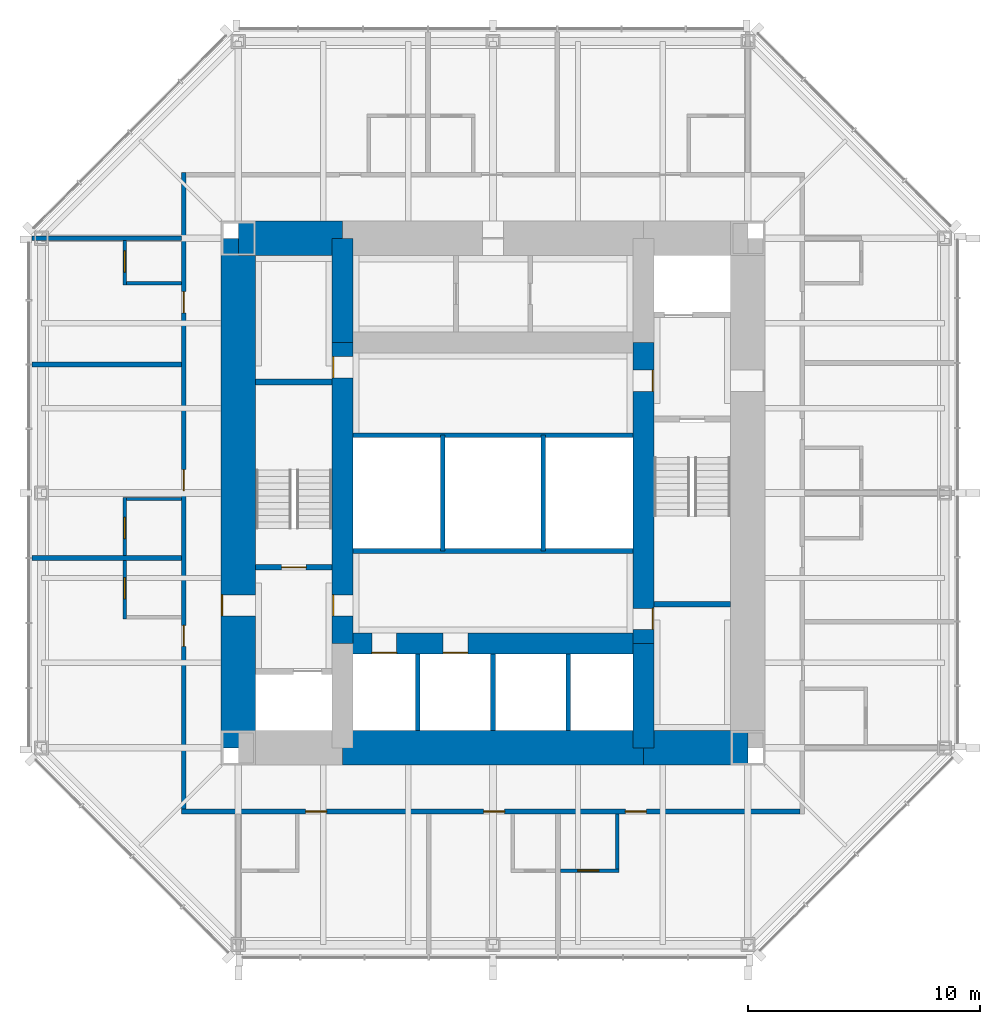
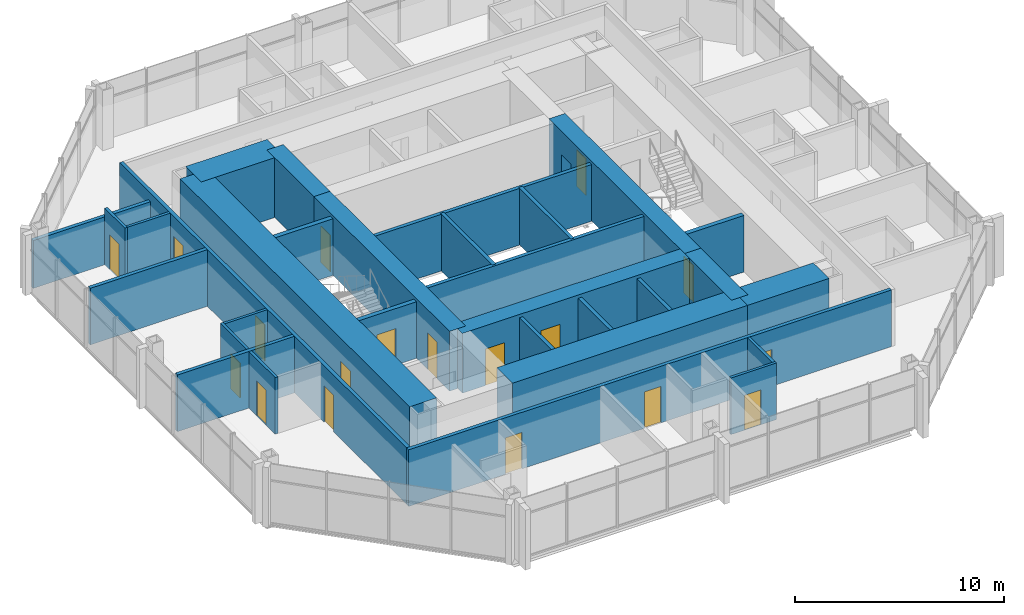
# One storey, part 8 of 11: 31 walls, 18 doors, 18 openings.
"""IFC4 building model written with IfcOpenShell, lengths in metres."""

from ifc_helpers import new_model, si_unit, direction, frame, frame_2d, origin, place, context, subcontext, project, spatial, rectangle, extrude, material, layer, layer_set, type_object, element, fill, save


model = new_model("IFC4")

# Units and contexts
model_context = context("Model", 3, precision=1e-05, world=origin(), true_north=direction((0.0, 1.0)))
body_context = subcontext(model_context, "Body", "Model", "MODEL_VIEW")
ifc_project = project(units=[si_unit("LENGTHUNIT", "METRE"), si_unit("AREAUNIT", "SQUARE_METRE"), si_unit("VOLUMEUNIT", "CUBIC_METRE"), si_unit("PLANEANGLEUNIT", "RADIAN"), si_unit("MASSUNIT", "GRAM", prefix="KILO")], contexts=[model_context])

# Site, building, storey
site_placement = place(None, origin())
site = spatial("IfcSite", under=ifc_project, at=site_placement, CompositionType="ELEMENT")
building_placement = place(site_placement, origin())
building = spatial("IfcBuilding", under=site, at=building_placement, Name="Trevanion Tower", CompositionType="ELEMENT")
storey_placement = place(building_placement, frame((0.0, 0.0, 218.699951171875)))
storey = spatial("IfcBuildingStorey", under=building, at=storey_placement, Name="L52", CompositionType="ELEMENT", Elevation=218.699951171875)

# Wall, opening, door
ifc_material_1 = material(Name="Concrete 10,000 psi", Category="concrete")
ifc_layer_1 = layer(ifc_material_1, 1.5)
ifc_layer_set_1 = layer_set([ifc_layer_1], Name="CW1 core wall 1500")
wall_type_1 = type_object("IfcWallType", Name="CW1 core wall 1500", PredefinedType="SHEAR", material=ifc_layer_set_1)
wall_1_placement = place(storey_placement, frame((-11.0, 11.0, 0.0), z_axis=(0.0, 0.0, 1.0), x_axis=(0.0, -1.0, 0.0)))
wall_1 = element("IfcWall", 1, at=wall_1_placement, inside=storey, type_object=wall_type_1, Name="CW1 CW L52", PredefinedType="SHEAR", context=body_context, shape_type="SweptSolid", body=[
    extrude(rectangle(XDim=22.0, YDim=1.5, at=frame_2d((11.0, 0.0))), origin(), (0.0, 0.0, 1.0), 3.5),
])
opening_1_placement = place(wall_1_placement, frame((15.392578125, 0.0, 0.0)))
opening_1 = element("IfcOpeningElement", 2, at=opening_1_placement, cuts=wall_1, Name="Opening 52-002", PredefinedType="OPENING", context=body_context, shape_type="SweptSolid", body=[
    extrude(rectangle(XDim=0.9150390625, YDim=2.134033203125, at=frame_2d((0.45751953125, 1.06689453125))), frame((0.0, 0.760009765625, 0.0), z_axis=(0.0, -1.0, 0.0), x_axis=(1.0, 0.0, 0.0)), (0.0, 0.0, 1.0), 1.52001953125),
])
ifc_material_2 = material(Name="Hollow metal, fire rated", Category="steel")
door_type_1 = type_object("IfcDoorType", Name="D3 fire lift lobby door", OperationType="SINGLE_SWING_RIGHT", PredefinedType="DOOR", material=ifc_material_2)
door_1_placement = place(opening_1_placement, origin())
door_1 = element("IfcDoor", 3, at=door_1_placement, inside=storey, type_object=door_type_1, Name="Door 52-002", OperationType="SINGLE_SWING_RIGHT", OverallHeight=2.134033203125, OverallWidth=0.9150390625, PredefinedType="DOOR", context=body_context, shape_type="SweptSolid", body=[
    extrude(rectangle(XDim=0.9150390625, YDim=2.134033203125, at=frame_2d((0.45751953125, 1.06689453125))), frame((0.0, -0.6748046875, 0.0), z_axis=(0.0, -1.0, 0.0), x_axis=(1.0, 0.0, 0.0)), (0.0, 0.0, 1.0), 0.050048828125),
])
fill(opening_1, door_1)

# Walls
wall_2_placement = place(storey_placement, frame((-6.5, 11.0, 0.0), z_axis=(0.0, 0.0, 1.0), x_axis=(-1.0, 0.0, 0.0)))
element("IfcWall", 4, at=wall_2_placement, inside=storey, type_object=wall_type_1, Name="CW1 CN3 L52", PredefinedType="SHEAR", context=body_context, shape_type="SweptSolid", body=[
    extrude(rectangle(XDim=4.5, YDim=1.5, at=frame_2d((2.25, 0.0))), origin(), (0.0, 0.0, 1.0), 3.5),
])
wall_3_placement = place(storey_placement, frame((-6.5, -11.0, 0.0), z_axis=(0.0, 0.0, 1.0), x_axis=(1.0, 0.0, 0.0)))
element("IfcWall", 5, at=wall_3_placement, inside=storey, type_object=wall_type_1, Name="CW1 CS2 L52", PredefinedType="SHEAR", context=body_context, shape_type="SweptSolid", body=[
    extrude(rectangle(XDim=13.0, YDim=1.5, at=frame_2d((6.5, 0.0))), origin(), (0.0, 0.0, 1.0), 3.5),
])
wall_4_placement = place(storey_placement, frame((6.5, -11.0, 0.0), z_axis=(0.0, 0.0, 1.0), x_axis=(1.0, 0.0, 0.0)))
element("IfcWall", 6, at=wall_4_placement, inside=storey, type_object=wall_type_1, Name="CW1 CS3 L52", PredefinedType="SHEAR", context=body_context, shape_type="SweptSolid", body=[
    extrude(rectangle(XDim=4.5, YDim=1.5, at=frame_2d((2.25, 0.0))), origin(), (0.0, 0.0, 1.0), 3.5),
])
ifc_material_3 = material(Name="Concrete 10,000 psi", Category="concrete")
ifc_layer_2 = layer(ifc_material_3, 0.89990234375)
ifc_layer_set_2 = layer_set([ifc_layer_2], Name="CW2 core wall 900")
wall_type_2 = type_object("IfcWallType", Name="CW2 core wall 900", PredefinedType="SHEAR", material=ifc_layer_set_2)
wall_5_placement = place(storey_placement, frame((6.5, -11.0, 0.0), z_axis=(0.0, 0.0, 1.0), x_axis=(0.0, 1.0, 0.0)))
element("IfcWall", 7, at=wall_5_placement, inside=storey, type_object=wall_type_2, Name="CW2 RE1 L52", PredefinedType="SHEAR", context=body_context, shape_type="SweptSolid", body=[
    extrude(rectangle(XDim=4.5, YDim=0.89990234375, at=frame_2d((2.25, 0.0))), origin(), (0.0, 0.0, 1.0), 3.5),
])

# Wall, openings, doors
wall_6_placement = place(storey_placement, frame((6.5, -6.5, 0.0), z_axis=(0.0, 0.0, 1.0), x_axis=(0.0, 1.0, 0.0)))
wall_6 = element("IfcWall", 8, at=wall_6_placement, inside=storey, type_object=wall_type_2, Name="CW2 RE2 L52", PredefinedType="SHEAR", context=body_context, shape_type="SweptSolid", body=[
    extrude(rectangle(XDim=13.0, YDim=0.89990234375, at=frame_2d((6.5, 0.0))), origin(), (0.0, 0.0, 1.0), 3.5),
])
opening_2_placement = place(wall_6_placement, frame((10.892578125, 0.0, 0.0)))
opening_2 = element("IfcOpeningElement", 9, at=opening_2_placement, cuts=wall_6, Name="Opening 52-003", PredefinedType="OPENING", context=body_context, shape_type="SweptSolid", body=[
    extrude(rectangle(XDim=0.9150390625, YDim=2.134033203125, at=frame_2d((0.45751953125, 1.06689453125))), frame((0.0, 0.4599609375, 0.0), z_axis=(0.0, -1.0, 0.0), x_axis=(1.0, 0.0, 0.0)), (0.0, 0.0, 1.0), 0.919921875),
])
opening_3_placement = place(wall_6_placement, frame((0.610107421875, 0.0, 0.0)))
opening_3 = element("IfcOpeningElement", 10, at=opening_3_placement, cuts=wall_6, Name="Opening 52-009", PredefinedType="OPENING", context=body_context, shape_type="SweptSolid", body=[
    extrude(rectangle(XDim=0.9150390625, YDim=2.134033203125, at=frame_2d((0.45751953125, 1.06689453125))), frame((0.0, 0.4599609375, 0.0), z_axis=(0.0, -1.0, 0.0), x_axis=(1.0, 0.0, 0.0)), (0.0, 0.0, 1.0), 0.919921875),
])
door_2_placement = place(opening_2_placement, origin())
door_2 = element("IfcDoor", 11, at=door_2_placement, inside=storey, type_object=door_type_1, Name="Door 52-003", OperationType="SINGLE_SWING_RIGHT", OverallHeight=2.134033203125, OverallWidth=0.9150390625, PredefinedType="DOOR", context=body_context, shape_type="SweptSolid", body=[
    extrude(rectangle(XDim=0.9150390625, YDim=2.134033203125, at=frame_2d((0.45751953125, 1.06689453125))), frame((0.0, -0.375, 0.0), z_axis=(0.0, -1.0, 0.0), x_axis=(1.0, 0.0, 0.0)), (0.0, 0.0, 1.0), 0.050048828125),
])
fill(opening_2, door_2)
ifc_material_4 = material(Name="Hollow metal, fire rated", Category="steel")
door_type_2 = type_object("IfcDoorType", Name="D5 service room door", OperationType="SINGLE_SWING_RIGHT", PredefinedType="DOOR", material=ifc_material_4)
door_3_placement = place(opening_3_placement, origin())
door_3 = element("IfcDoor", 12, at=door_3_placement, inside=storey, type_object=door_type_2, Name="Door 52-009", OperationType="SINGLE_SWING_RIGHT", OverallHeight=2.134033203125, OverallWidth=0.9150390625, PredefinedType="DOOR", context=body_context, shape_type="SweptSolid", body=[
    extrude(rectangle(XDim=0.9150390625, YDim=2.134033203125, at=frame_2d((0.45751953125, 1.06689453125))), frame((0.0, -0.375, 0.0), z_axis=(0.0, -1.0, 0.0), x_axis=(1.0, 0.0, 0.0)), (0.0, 0.0, 1.0), 0.050048828125),
])
fill(opening_3, door_3)

# Wall
wall_7_placement = place(storey_placement, frame((-6.5, 11.0, 0.0), z_axis=(0.0, 0.0, 1.0), x_axis=(0.0, -1.0, 0.0)))
element("IfcWall", 13, at=wall_7_placement, inside=storey, type_object=wall_type_2, Name="CW2 RW1 L52", PredefinedType="SHEAR", context=body_context, shape_type="SweptSolid", body=[
    extrude(rectangle(XDim=4.5, YDim=0.89990234375, at=frame_2d((2.25, 0.0))), origin(), (0.0, 0.0, 1.0), 3.5),
])

# Wall, openings, doors
wall_8_placement = place(storey_placement, frame((-6.5, 6.5, 0.0), z_axis=(0.0, 0.0, 1.0), x_axis=(0.0, -1.0, 0.0)))
wall_8 = element("IfcWall", 14, at=wall_8_placement, inside=storey, type_object=wall_type_2, Name="CW2 RW2 L52", PredefinedType="SHEAR", context=body_context, shape_type="SweptSolid", body=[
    extrude(rectangle(XDim=13.0, YDim=0.89990234375, at=frame_2d((6.5, 0.0))), origin(), (0.0, 0.0, 1.0), 3.5),
])
opening_4_placement = place(wall_8_placement, frame((10.892578125, 0.0, 0.0)))
opening_4 = element("IfcOpeningElement", 15, at=opening_4_placement, cuts=wall_8, Name="Opening 52-004", PredefinedType="OPENING", context=body_context, shape_type="SweptSolid", body=[
    extrude(rectangle(XDim=0.9150390625, YDim=2.134033203125, at=frame_2d((0.45751953125, 1.06689453125))), frame((0.0, 0.4599609375, 0.0), z_axis=(0.0, -1.0, 0.0), x_axis=(1.0, 0.0, 0.0)), (0.0, 0.0, 1.0), 0.919921875),
])
opening_5_placement = place(wall_8_placement, frame((0.610107421875, 0.0, 0.0)))
opening_5 = element("IfcOpeningElement", 16, at=opening_5_placement, cuts=wall_8, Name="Opening 52-010", PredefinedType="OPENING", context=body_context, shape_type="SweptSolid", body=[
    extrude(rectangle(XDim=0.9150390625, YDim=2.134033203125, at=frame_2d((0.45751953125, 1.06689453125))), frame((0.0, 0.4599609375, 0.0), z_axis=(0.0, -1.0, 0.0), x_axis=(1.0, 0.0, 0.0)), (0.0, 0.0, 1.0), 0.919921875),
])
door_4_placement = place(opening_4_placement, origin())
door_4 = element("IfcDoor", 17, at=door_4_placement, inside=storey, type_object=door_type_1, Name="Door 52-004", OperationType="SINGLE_SWING_RIGHT", OverallHeight=2.134033203125, OverallWidth=0.9150390625, PredefinedType="DOOR", context=body_context, shape_type="SweptSolid", body=[
    extrude(rectangle(XDim=0.9150390625, YDim=2.134033203125, at=frame_2d((0.45751953125, 1.06689453125))), frame((0.0, -0.375, 0.0), z_axis=(0.0, -1.0, 0.0), x_axis=(1.0, 0.0, 0.0)), (0.0, 0.0, 1.0), 0.050048828125),
])
fill(opening_4, door_4)
door_5_placement = place(opening_5_placement, origin())
door_5 = element("IfcDoor", 18, at=door_5_placement, inside=storey, type_object=door_type_2, Name="Door 52-010", OperationType="SINGLE_SWING_RIGHT", OverallHeight=2.134033203125, OverallWidth=0.9150390625, PredefinedType="DOOR", context=body_context, shape_type="SweptSolid", body=[
    extrude(rectangle(XDim=0.9150390625, YDim=2.134033203125, at=frame_2d((0.45751953125, 1.06689453125))), frame((0.0, -0.375, 0.0), z_axis=(0.0, -1.0, 0.0), x_axis=(1.0, 0.0, 0.0)), (0.0, 0.0, 1.0), 0.050048828125),
])
fill(opening_5, door_5)

wall_9_placement = place(storey_placement, frame((-6.5, -6.5, 0.0), z_axis=(0.0, 0.0, 1.0), x_axis=(1.0, 0.0, 0.0)))
wall_9 = element("IfcWall", 19, at=wall_9_placement, inside=storey, type_object=wall_type_2, Name="CW2 RS L52", PredefinedType="SHEAR", context=body_context, shape_type="SweptSolid", body=[
    extrude(rectangle(XDim=13.0, YDim=0.89990234375, at=frame_2d((6.5, 0.0))), origin(), (0.0, 0.0, 1.0), 3.5),
])
opening_6_placement = place(wall_9_placement, frame((1.2666015625, 0.0, 0.0)))
opening_6 = element("IfcOpeningElement", 20, at=opening_6_placement, cuts=wall_9, Name="Opening 52-011", PredefinedType="OPENING", context=body_context, shape_type="SweptSolid", body=[
    extrude(rectangle(XDim=1.06689453125, YDim=2.134033203125, at=frame_2d((0.533447265625, 1.06689453125))), frame((0.0, 0.4599609375, 0.0), z_axis=(0.0, -1.0, 0.0), x_axis=(1.0, 0.0, 0.0)), (0.0, 0.0, 1.0), 0.919921875),
])
opening_7_placement = place(wall_9_placement, frame((4.341552734375, 0.0, 0.0)))
opening_7 = element("IfcOpeningElement", 21, at=opening_7_placement, cuts=wall_9, Name="Opening 52-012", PredefinedType="OPENING", context=body_context, shape_type="SweptSolid", body=[
    extrude(rectangle(XDim=1.06689453125, YDim=2.134033203125, at=frame_2d((0.533447265625, 1.06689453125))), frame((0.0, 0.4599609375, 0.0), z_axis=(0.0, -1.0, 0.0), x_axis=(1.0, 0.0, 0.0)), (0.0, 0.0, 1.0), 0.919921875),
])
ifc_material_5 = material(Name="Stainless steel, fire rated", Category="steel")
door_type_3 = type_object("IfcDoorType", Name="LD1 lift landing door", OperationType="SLIDING_TO_LEFT", PredefinedType="DOOR", material=ifc_material_5)
door_6_placement = place(opening_6_placement, origin())
door_6 = element("IfcDoor", 22, at=door_6_placement, inside=storey, type_object=door_type_3, Name="Door 52-011", OperationType="SLIDING_TO_LEFT", OverallHeight=2.134033203125, OverallWidth=1.06689453125, PredefinedType="DOOR", context=body_context, shape_type="SweptSolid", body=[
    extrude(rectangle(XDim=1.06689453125, YDim=2.134033203125, at=frame_2d((0.533447265625, 1.06689453125))), frame((0.0, -0.375, 0.0), z_axis=(0.0, -1.0, 0.0), x_axis=(1.0, 0.0, 0.0)), (0.0, 0.0, 1.0), 0.050048828125),
])
fill(opening_6, door_6)
door_7_placement = place(opening_7_placement, origin())
door_7 = element("IfcDoor", 23, at=door_7_placement, inside=storey, type_object=door_type_3, Name="Door 52-012", OperationType="SLIDING_TO_LEFT", OverallHeight=2.134033203125, OverallWidth=1.06689453125, PredefinedType="DOOR", context=body_context, shape_type="SweptSolid", body=[
    extrude(rectangle(XDim=1.06689453125, YDim=2.134033203125, at=frame_2d((0.533447265625, 1.06689453125))), frame((0.0, -0.375, 0.0), z_axis=(0.0, -1.0, 0.0), x_axis=(1.0, 0.0, 0.0)), (0.0, 0.0, 1.0), 0.050048828125),
])
fill(opening_7, door_7)

# Wall, opening, door
ifc_material_6 = material(Name="Gypsum board on steel studs", Category="steel")
ifc_layer_3 = layer(ifc_material_6, 0.14990234375)
ifc_layer_set_3 = layer_set([ifc_layer_3], Name="PT1 partition 150")
wall_type_3 = type_object("IfcWallType", Name="PT1 partition 150", PredefinedType="PARTITIONING", material=ifc_layer_set_3)
wall_10_placement = place(storey_placement, frame((-15.89990234375, 10.89990234375, 0.0), z_axis=(0.0, 0.0, 1.0), x_axis=(0.0, -1.0, 0.0)))
wall_10 = element("IfcWall", 24, at=wall_10_placement, inside=storey, type_object=wall_type_3, Name="PT1 L52 BA20", PredefinedType="PARTITIONING", context=body_context, shape_type="SweptSolid", body=[
    extrude(rectangle(XDim=1.9248046875, YDim=0.14990234375, at=frame_2d((0.96240234375, 0.0))), origin(), (0.0, 0.0, 1.0), 3.31005859375),
])
opening_8_placement = place(wall_10_placement, frame((0.4423828125, 0.0, 0.0)))
opening_8 = element("IfcOpeningElement", 25, at=opening_8_placement, cuts=wall_10, Name="Opening 52-030", PredefinedType="OPENING", context=body_context, shape_type="SweptSolid", body=[
    extrude(rectangle(XDim=0.9150390625, YDim=2.031982421875, at=frame_2d((0.45751953125, 1.01611328125))), frame((0.0, 0.0849609375, 0.0), z_axis=(0.0, -1.0, 0.0), x_axis=(1.0, 0.0, 0.0)), (0.0, 0.0, 1.0), 0.169921875),
])
ifc_material_7 = material(Name="Timber veneer", Category="wood")
door_type_4 = type_object("IfcDoorType", Name="D7 bathroom door", OperationType="SINGLE_SWING_LEFT", PredefinedType="DOOR", material=ifc_material_7)
door_8_placement = place(opening_8_placement, origin())
door_8 = element("IfcDoor", 26, at=door_8_placement, inside=storey, type_object=door_type_4, Name="Door 52-030", OperationType="SINGLE_SWING_LEFT", OverallHeight=2.031982421875, OverallWidth=0.9150390625, PredefinedType="DOOR", context=body_context, shape_type="SweptSolid", body=[
    extrude(rectangle(XDim=0.9150390625, YDim=2.031982421875, at=frame_2d((0.45751953125, 1.01611328125))), frame((0.0, 0.02490234375, 0.0), z_axis=(0.0, -1.0, 0.0), x_axis=(1.0, 0.0, 0.0)), (0.0, 0.0, 1.0), 0.050048828125),
])
fill(opening_8, door_8)

# Wall
wall_11_placement = place(storey_placement, frame((-13.449951171875, 9.050048828125, 0.0), z_axis=(0.0, 0.0, 1.0), x_axis=(-1.0, 0.0, 0.0)))
element("IfcWall", 27, at=wall_11_placement, inside=storey, type_object=wall_type_3, Name="PT1 L52 BB20", PredefinedType="PARTITIONING", context=body_context, shape_type="SweptSolid", body=[
    extrude(rectangle(XDim=2.375, YDim=0.14990234375, at=frame_2d((1.1875, 0.0))), origin(), (0.0, 0.0, 1.0), 3.31005859375),
])

# Wall, opening, door
wall_12_placement = place(storey_placement, frame((-15.89990234375, -0.181884765625, 0.0), z_axis=(0.0, 0.0, 1.0), x_axis=(0.0, -1.0, 0.0)))
wall_12 = element("IfcWall", 28, at=wall_12_placement, inside=storey, type_object=wall_type_3, Name="PT1 L52 BA21", PredefinedType="PARTITIONING", context=body_context, shape_type="SweptSolid", body=[
    extrude(rectangle(XDim=2.525146484375, YDim=0.14990234375, at=frame_2d((1.2626953125, 0.0))), origin(), (0.0, 0.0, 1.0), 3.31005859375),
])
opening_9_placement = place(wall_12_placement, frame((0.867431640625, 0.0, 0.0)))
opening_9 = element("IfcOpeningElement", 29, at=opening_9_placement, cuts=wall_12, Name="Opening 52-032", PredefinedType="OPENING", context=body_context, shape_type="SweptSolid", body=[
    extrude(rectangle(XDim=0.9150390625, YDim=2.031982421875, at=frame_2d((0.45751953125, 1.01611328125))), frame((0.0, 0.0849609375, 0.0), z_axis=(0.0, -1.0, 0.0), x_axis=(1.0, 0.0, 0.0)), (0.0, 0.0, 1.0), 0.169921875),
])
door_9_placement = place(opening_9_placement, origin())
door_9 = element("IfcDoor", 30, at=door_9_placement, inside=storey, type_object=door_type_4, Name="Door 52-032", OperationType="SINGLE_SWING_LEFT", OverallHeight=2.031982421875, OverallWidth=0.9150390625, PredefinedType="DOOR", context=body_context, shape_type="SweptSolid", body=[
    extrude(rectangle(XDim=0.9150390625, YDim=2.031982421875, at=frame_2d((0.45751953125, 1.01611328125))), frame((0.0, 0.02490234375, 0.0), z_axis=(0.0, -1.0, 0.0), x_axis=(1.0, 0.0, 0.0)), (0.0, 0.0, 1.0), 0.050048828125),
])
fill(opening_9, door_9)

# Wall
wall_13_placement = place(storey_placement, frame((-13.449951171875, -0.257080078125, 0.0), z_axis=(0.0, 0.0, 1.0), x_axis=(-1.0, 0.0, 0.0)))
element("IfcWall", 31, at=wall_13_placement, inside=storey, type_object=wall_type_3, Name="PT1 L52 BB21", PredefinedType="PARTITIONING", context=body_context, shape_type="SweptSolid", body=[
    extrude(rectangle(XDim=2.375, YDim=0.14990234375, at=frame_2d((1.1875, 0.0))), origin(), (0.0, 0.0, 1.0), 3.31005859375),
])

# Wall, opening, door
wall_14_placement = place(storey_placement, frame((-15.89990234375, -2.906982421875, 0.0), z_axis=(0.0, 0.0, 1.0), x_axis=(0.0, -1.0, 0.0)))
wall_14 = element("IfcWall", 32, at=wall_14_placement, inside=storey, type_object=wall_type_3, Name="PT1 L52 BA22", PredefinedType="PARTITIONING", context=body_context, shape_type="SweptSolid", body=[
    extrude(rectangle(XDim=2.52490234375, YDim=0.14990234375, at=frame_2d((1.262451171875, 0.0))), origin(), (0.0, 0.0, 1.0), 3.31005859375),
])
opening_10_placement = place(wall_14_placement, frame((0.742431640625, 0.0, 0.0)))
opening_10 = element("IfcOpeningElement", 33, at=opening_10_placement, cuts=wall_14, Name="Opening 52-034", PredefinedType="OPENING", context=body_context, shape_type="SweptSolid", body=[
    extrude(rectangle(XDim=0.9150390625, YDim=2.031982421875, at=frame_2d((0.45751953125, 1.01611328125))), frame((0.0, 0.0849609375, 0.0), z_axis=(0.0, -1.0, 0.0), x_axis=(1.0, 0.0, 0.0)), (0.0, 0.0, 1.0), 0.169921875),
])
door_10_placement = place(opening_10_placement, origin())
door_10 = element("IfcDoor", 34, at=door_10_placement, inside=storey, type_object=door_type_4, Name="Door 52-034", OperationType="SINGLE_SWING_LEFT", OverallHeight=2.031982421875, OverallWidth=0.9150390625, PredefinedType="DOOR", context=body_context, shape_type="SweptSolid", body=[
    extrude(rectangle(XDim=0.9150390625, YDim=2.031982421875, at=frame_2d((0.45751953125, 1.01611328125))), frame((0.0, 0.02490234375, 0.0), z_axis=(0.0, -1.0, 0.0), x_axis=(1.0, 0.0, 0.0)), (0.0, 0.0, 1.0), 0.050048828125),
])
fill(opening_10, door_10)

wall_15_placement = place(storey_placement, frame((2.906982421875, -16.300048828125, 0.0), z_axis=(0.0, 0.0, 1.0), x_axis=(1.0, 0.0, 0.0)))
wall_15 = element("IfcWall", 35, at=wall_15_placement, inside=storey, type_object=wall_type_3, Name="PT1 L52 BA32", PredefinedType="PARTITIONING", context=body_context, shape_type="SweptSolid", body=[
    extrude(rectangle(XDim=2.52490234375, YDim=0.14990234375, at=frame_2d((1.262451171875, 0.0))), origin(), (0.0, 0.0, 1.0), 3.31005859375),
])
opening_11_placement = place(wall_15_placement, frame((0.742431640625, 0.0, 0.0)))
opening_11 = element("IfcOpeningElement", 36, at=opening_11_placement, cuts=wall_15, Name="Opening 52-040", PredefinedType="OPENING", context=body_context, shape_type="SweptSolid", body=[
    extrude(rectangle(XDim=0.9150390625, YDim=2.031982421875, at=frame_2d((0.45751953125, 1.01611328125))), frame((0.0, 0.0849609375, 0.0), z_axis=(0.0, -1.0, 0.0), x_axis=(1.0, 0.0, 0.0)), (0.0, 0.0, 1.0), 0.169921875),
])
door_11_placement = place(opening_11_placement, origin())
door_11 = element("IfcDoor", 37, at=door_11_placement, inside=storey, type_object=door_type_4, Name="Door 52-040", OperationType="SINGLE_SWING_LEFT", OverallHeight=2.031982421875, OverallWidth=0.9150390625, PredefinedType="DOOR", context=body_context, shape_type="SweptSolid", body=[
    extrude(rectangle(XDim=0.9150390625, YDim=2.031982421875, at=frame_2d((0.45751953125, 1.01611328125))), frame((0.0, 0.02490234375, 0.0), z_axis=(0.0, -1.0, 0.0), x_axis=(1.0, 0.0, 0.0)), (0.0, 0.0, 1.0), 0.050048828125),
])
fill(opening_11, door_11)

# Walls
wall_16_placement = place(storey_placement, frame((5.35693359375, -13.85009765625, 0.0), z_axis=(0.0, 0.0, 1.0), x_axis=(0.0, -1.0, 0.0)))
element("IfcWall", 38, at=wall_16_placement, inside=storey, type_object=wall_type_3, Name="PT1 L52 BB32", PredefinedType="PARTITIONING", context=body_context, shape_type="SweptSolid", body=[
    extrude(rectangle(XDim=2.375, YDim=0.14990234375, at=frame_2d((1.1875, 0.0))), origin(), (0.0, 0.0, 1.0), 3.31005859375),
])
ifc_material_8 = material(Name="Concrete masonry, grouted", Category="masonry")
ifc_layer_4 = layer(ifc_material_8, 0.199951171875)
ifc_layer_set_4 = layer_set([ifc_layer_4], Name="PT2 partition 200 1 HR")
wall_type_4 = type_object("IfcWallType", Name="PT2 partition 200 1 HR", PredefinedType="PARTITIONING", material=ifc_layer_set_4)
for number, where, z_axis, x_axis, name in (
    (39, (-6.050048828125, 2.5, 0.0), (0.0, 0.0, 1.0), (1.0, 0.0, 0.0), "PT2 L52 CP1"),
    (40, (6.050048828125, -2.5, 0.0), (0.0, 0.0, 1.0), (-1.0, 0.0, 0.0), "PT2 L52 CP2"),
):
    element("IfcWall", number, at=place(storey_placement, frame(where, z_axis=z_axis, x_axis=x_axis)), inside=storey, type_object=wall_type_4, Name=name, PredefinedType="PARTITIONING", context=body_context, shape_type="SweptSolid", body=[
        extrude(rectangle(XDim=12.10009765625, YDim=0.199951171875, at=frame_2d((6.050048828125, 0.0))), origin(), (0.0, 0.0, 1.0), 3.31005859375),
    ])

# Wall, openings, doors
wall_17_placement = place(storey_placement, frame((-13.35009765625, 13.85009765625, 0.0), z_axis=(0.0, 0.0, 1.0), x_axis=(0.0, -1.0, 0.0)))
wall_17 = element("IfcWall", 41, at=wall_17_placement, inside=storey, type_object=wall_type_4, Name="PT2 L52 HC2", PredefinedType="PARTITIONING", context=body_context, shape_type="SweptSolid", body=[
    extrude(rectangle(XDim=27.5, YDim=0.199951171875, at=frame_2d((13.75, 0.0))), origin(), (0.0, 0.0, 1.0), 3.31005859375),
])
opening_12_placement = place(wall_17_placement, frame((5.152587890625, 0.0, 0.0)))
opening_12 = element("IfcOpeningElement", 42, at=opening_12_placement, cuts=wall_17, Name="Opening 52-031", PredefinedType="OPENING", context=body_context, shape_type="SweptSolid", body=[
    extrude(rectangle(XDim=0.9150390625, YDim=2.134033203125, at=frame_2d((0.45751953125, 1.06689453125))), frame((0.0, 0.10986328125, 0.0), z_axis=(0.0, -1.0, 0.0), x_axis=(1.0, 0.0, 0.0)), (0.0, 0.0, 1.0), 0.219970703125),
])
opening_13_placement = place(wall_17_placement, frame((12.839599609375, 0.0, 0.0)))
opening_13 = element("IfcOpeningElement", 43, at=opening_13_placement, cuts=wall_17, Name="Opening 52-033", PredefinedType="OPENING", context=body_context, shape_type="SweptSolid", body=[
    extrude(rectangle(XDim=0.9150390625, YDim=2.134033203125, at=frame_2d((0.45751953125, 1.06689453125))), frame((0.0, 0.10986328125, 0.0), z_axis=(0.0, -1.0, 0.0), x_axis=(1.0, 0.0, 0.0)), (0.0, 0.0, 1.0), 0.219970703125),
])
opening_14_placement = place(wall_17_placement, frame((19.5595703125, 0.0, 0.0)))
opening_14 = element("IfcOpeningElement", 44, at=opening_14_placement, cuts=wall_17, Name="Opening 52-035", PredefinedType="OPENING", context=body_context, shape_type="SweptSolid", body=[
    extrude(rectangle(XDim=0.9150390625, YDim=2.134033203125, at=frame_2d((0.45751953125, 1.06689453125))), frame((0.0, 0.10986328125, 0.0), z_axis=(0.0, -1.0, 0.0), x_axis=(1.0, 0.0, 0.0)), (0.0, 0.0, 1.0), 0.219970703125),
])
ifc_material_9 = material(Name="Timber veneer, fire rated", Category="wood")
door_type_5 = type_object("IfcDoorType", Name="D6 guest room entrance door", OperationType="SINGLE_SWING_LEFT", PredefinedType="DOOR", material=ifc_material_9)
door_12_placement = place(opening_12_placement, origin())
door_12 = element("IfcDoor", 45, at=door_12_placement, inside=storey, type_object=door_type_5, Name="Door 52-031", OperationType="SINGLE_SWING_LEFT", OverallHeight=2.134033203125, OverallWidth=0.9150390625, PredefinedType="DOOR", context=body_context, shape_type="SweptSolid", body=[
    extrude(rectangle(XDim=0.9150390625, YDim=2.134033203125, at=frame_2d((0.45751953125, 1.06689453125))), frame((0.0, 0.02490234375, 0.0), z_axis=(0.0, -1.0, 0.0), x_axis=(1.0, 0.0, 0.0)), (0.0, 0.0, 1.0), 0.050048828125),
])
fill(opening_12, door_12)
door_13_placement = place(opening_13_placement, origin())
door_13 = element("IfcDoor", 46, at=door_13_placement, inside=storey, type_object=door_type_5, Name="Door 52-033", OperationType="SINGLE_SWING_LEFT", OverallHeight=2.134033203125, OverallWidth=0.9150390625, PredefinedType="DOOR", context=body_context, shape_type="SweptSolid", body=[
    extrude(rectangle(XDim=0.9150390625, YDim=2.134033203125, at=frame_2d((0.45751953125, 1.06689453125))), frame((0.0, 0.02490234375, 0.0), z_axis=(0.0, -1.0, 0.0), x_axis=(1.0, 0.0, 0.0)), (0.0, 0.0, 1.0), 0.050048828125),
])
fill(opening_13, door_13)
door_14_placement = place(opening_14_placement, origin())
door_14 = element("IfcDoor", 47, at=door_14_placement, inside=storey, type_object=door_type_5, Name="Door 52-035", OperationType="SINGLE_SWING_LEFT", OverallHeight=2.134033203125, OverallWidth=0.9150390625, PredefinedType="DOOR", context=body_context, shape_type="SweptSolid", body=[
    extrude(rectangle(XDim=0.9150390625, YDim=2.134033203125, at=frame_2d((0.45751953125, 1.06689453125))), frame((0.0, 0.02490234375, 0.0), z_axis=(0.0, -1.0, 0.0), x_axis=(1.0, 0.0, 0.0)), (0.0, 0.0, 1.0), 0.050048828125),
])
fill(opening_14, door_14)

wall_18_placement = place(storey_placement, frame((-13.449951171875, -13.75, 0.0), z_axis=(0.0, 0.0, 1.0), x_axis=(1.0, 0.0, 0.0)))
wall_18 = element("IfcWall", 48, at=wall_18_placement, inside=storey, type_object=wall_type_4, Name="PT2 L52 HC3", PredefinedType="PARTITIONING", context=body_context, shape_type="SweptSolid", body=[
    extrude(rectangle(XDim=26.699951171875, YDim=0.199951171875, at=frame_2d((13.35009765625, 0.0))), origin(), (0.0, 0.0, 1.0), 3.31005859375),
])
opening_15_placement = place(wall_18_placement, frame((5.3525390625, 0.0, 0.0)))
opening_15 = element("IfcOpeningElement", 49, at=opening_15_placement, cuts=wall_18, Name="Opening 52-037", PredefinedType="OPENING", context=body_context, shape_type="SweptSolid", body=[
    extrude(rectangle(XDim=0.9150390625, YDim=2.134033203125, at=frame_2d((0.45751953125, 1.06689453125))), frame((0.0, 0.10986328125, 0.0), z_axis=(0.0, -1.0, 0.0), x_axis=(1.0, 0.0, 0.0)), (0.0, 0.0, 1.0), 0.219970703125),
])
opening_16_placement = place(wall_18_placement, frame((13.03955078125, 0.0, 0.0)))
opening_16 = element("IfcOpeningElement", 50, at=opening_16_placement, cuts=wall_18, Name="Opening 52-039", PredefinedType="OPENING", context=body_context, shape_type="SweptSolid", body=[
    extrude(rectangle(XDim=0.9150390625, YDim=2.134033203125, at=frame_2d((0.45751953125, 1.06689453125))), frame((0.0, 0.10986328125, 0.0), z_axis=(0.0, -1.0, 0.0), x_axis=(1.0, 0.0, 0.0)), (0.0, 0.0, 1.0), 0.219970703125),
])
opening_17_placement = place(wall_18_placement, frame((19.159423828125, 0.0, 0.0)))
opening_17 = element("IfcOpeningElement", 51, at=opening_17_placement, cuts=wall_18, Name="Opening 52-041", PredefinedType="OPENING", context=body_context, shape_type="SweptSolid", body=[
    extrude(rectangle(XDim=0.9150390625, YDim=2.134033203125, at=frame_2d((0.45751953125, 1.06689453125))), frame((0.0, 0.10986328125, 0.0), z_axis=(0.0, -1.0, 0.0), x_axis=(1.0, 0.0, 0.0)), (0.0, 0.0, 1.0), 0.219970703125),
])
door_15_placement = place(opening_15_placement, origin())
door_15 = element("IfcDoor", 52, at=door_15_placement, inside=storey, type_object=door_type_5, Name="Door 52-037", OperationType="SINGLE_SWING_LEFT", OverallHeight=2.134033203125, OverallWidth=0.9150390625, PredefinedType="DOOR", context=body_context, shape_type="SweptSolid", body=[
    extrude(rectangle(XDim=0.9150390625, YDim=2.134033203125, at=frame_2d((0.45751953125, 1.06689453125))), frame((0.0, 0.02490234375, 0.0), z_axis=(0.0, -1.0, 0.0), x_axis=(1.0, 0.0, 0.0)), (0.0, 0.0, 1.0), 0.050048828125),
])
fill(opening_15, door_15)
door_16_placement = place(opening_16_placement, origin())
door_16 = element("IfcDoor", 53, at=door_16_placement, inside=storey, type_object=door_type_5, Name="Door 52-039", OperationType="SINGLE_SWING_LEFT", OverallHeight=2.134033203125, OverallWidth=0.9150390625, PredefinedType="DOOR", context=body_context, shape_type="SweptSolid", body=[
    extrude(rectangle(XDim=0.9150390625, YDim=2.134033203125, at=frame_2d((0.45751953125, 1.06689453125))), frame((0.0, 0.02490234375, 0.0), z_axis=(0.0, -1.0, 0.0), x_axis=(1.0, 0.0, 0.0)), (0.0, 0.0, 1.0), 0.050048828125),
])
fill(opening_16, door_16)
door_17_placement = place(opening_17_placement, origin())
door_17 = element("IfcDoor", 54, at=door_17_placement, inside=storey, type_object=door_type_5, Name="Door 52-041", OperationType="SINGLE_SWING_LEFT", OverallHeight=2.134033203125, OverallWidth=0.9150390625, PredefinedType="DOOR", context=body_context, shape_type="SweptSolid", body=[
    extrude(rectangle(XDim=0.9150390625, YDim=2.134033203125, at=frame_2d((0.45751953125, 1.06689453125))), frame((0.0, 0.02490234375, 0.0), z_axis=(0.0, -1.0, 0.0), x_axis=(1.0, 0.0, 0.0)), (0.0, 0.0, 1.0), 0.050048828125),
])
fill(opening_17, door_17)

# Walls
wall_19_placement = place(storey_placement, frame((-13.449951171875, 11.0, 0.0), z_axis=(0.0, 0.0, 1.0), x_axis=(-1.0, 0.0, 0.0)))
element("IfcWall", 55, at=wall_19_placement, inside=storey, type_object=wall_type_4, Name="PT2 L52 HD20", PredefinedType="PARTITIONING", context=body_context, shape_type="SweptSolid", body=[
    extrude(rectangle(XDim=6.465087890625, YDim=0.199951171875, at=frame_2d((3.232421875, 0.0))), origin(), (0.0, 0.0, 1.0), 2.802001953125),
])
for number, where, z_axis, x_axis, name in (
    (56, (-13.449951171875, 5.549072265625, 0.0), (0.0, 0.0, 1.0), (-1.0, 0.0, 0.0), "PT2 L52 HD21"),
    (57, (-13.449951171875, -2.806884765625, 0.0), (0.0, 0.0, 1.0), (-1.0, 0.0, 0.0), "PT2 L52 HD22"),
):
    element("IfcWall", number, at=place(storey_placement, frame(where, z_axis=z_axis, x_axis=x_axis)), inside=storey, type_object=wall_type_4, Name=name, PredefinedType="PARTITIONING", context=body_context, shape_type="SweptSolid", body=[
        extrude(rectangle(XDim=6.465087890625, YDim=0.199951171875, at=frame_2d((3.232421875, 0.0))), origin(), (0.0, 0.0, 1.0), 3.31005859375),
    ])
ifc_material_10 = material(Name="Concrete masonry, grouted", Category="masonry")
ifc_layer_5 = layer(ifc_material_10, 0.199951171875)
ifc_layer_set_5 = layer_set([ifc_layer_5], Name="PT2 partition 200 2 HR")
wall_type_5 = type_object("IfcWallType", Name="PT2 partition 200 2 HR", PredefinedType="PARTITIONING", material=ifc_layer_set_5)
for number, where, z_axis, x_axis, name in (
    (58, (-3.25, -10.25, 0.0), (0.0, 0.0, 1.0), (0.0, 1.0, 0.0), "PT2 L52 SS0"),
    (59, (0.0, -10.25, 0.0), (0.0, 0.0, 1.0), (0.0, 1.0, 0.0), "PT2 L52 SS1"),
    (60, (3.25, -10.25, 0.0), (0.0, 0.0, 1.0), (0.0, 1.0, 0.0), "PT2 L52 SS2"),
):
    element("IfcWall", number, at=place(storey_placement, frame(where, z_axis=z_axis, x_axis=x_axis)), inside=storey, type_object=wall_type_5, Name=name, PredefinedType="PARTITIONING", context=body_context, shape_type="SweptSolid", body=[
        extrude(rectangle(XDim=3.300048828125, YDim=0.199951171875, at=frame_2d((1.64990234375, 0.0))), origin(), (0.0, 0.0, 1.0), 3.31005859375),
    ])
for number, where, z_axis, x_axis, name in (
    (61, (-2.166748046875, -2.5, 0.0), (0.0, 0.0, 1.0), (0.0, 1.0, 0.0), "PT2 L52 MS0"),
    (62, (2.166748046875, -2.5, 0.0), (0.0, 0.0, 1.0), (0.0, 1.0, 0.0), "PT2 L52 MS1"),
):
    element("IfcWall", number, at=place(storey_placement, frame(where, z_axis=z_axis, x_axis=x_axis)), inside=storey, type_object=wall_type_5, Name=name, PredefinedType="PARTITIONING", context=body_context, shape_type="SweptSolid", body=[
        extrude(rectangle(XDim=5.0, YDim=0.199951171875, at=frame_2d((2.5, 0.0))), origin(), (0.0, 0.0, 1.0), 3.31005859375),
    ])
ifc_material_11 = material(Name="Reinforced masonry, fully grouted", Category="masonry")
ifc_layer_6 = layer(ifc_material_11, 0.25)
ifc_layer_set_6 = layer_set([ifc_layer_6], Name="SW1 stair shaft wall 250")
wall_type_6 = type_object("IfcWallType", Name="SW1 stair shaft wall 250", PredefinedType="SOLIDWALL", material=ifc_layer_set_6)
for number, where, z_axis, x_axis, name in (
    (63, (6.949951171875, -4.800048828125, 0.0), (0.0, 0.0, 1.0), (1.0, 0.0, 0.0), "SW1 L52 EP1"),
    (64, (-6.949951171875, 4.800048828125, 0.0), (0.0, 0.0, 1.0), (-1.0, 0.0, 0.0), "SW1 L52 WP1"),
):
    element("IfcWall", number, at=place(storey_placement, frame(where, z_axis=z_axis, x_axis=x_axis)), inside=storey, type_object=wall_type_6, Name=name, PredefinedType="SOLIDWALL", context=body_context, shape_type="SweptSolid", body=[
        extrude(rectangle(XDim=3.300048828125, YDim=0.25, at=frame_2d((1.64990234375, 0.0))), origin(), (0.0, 0.0, 1.0), 3.31005859375),
    ])

# Wall, opening, door
wall_20_placement = place(storey_placement, frame((-6.949951171875, -3.199951171875, 0.0), z_axis=(0.0, 0.0, 1.0), x_axis=(-1.0, 0.0, 0.0)))
wall_20 = element("IfcWall", 65, at=wall_20_placement, inside=storey, type_object=wall_type_6, Name="SW1 L52 WP2", PredefinedType="SOLIDWALL", context=body_context, shape_type="SweptSolid", body=[
    extrude(rectangle(XDim=3.300048828125, YDim=0.25, at=frame_2d((1.64990234375, 0.0))), origin(), (0.0, 0.0, 1.0), 3.31005859375),
])
opening_18_placement = place(wall_20_placement, frame((1.116455078125, 0.0, 0.0)))
opening_18 = element("IfcOpeningElement", 66, at=opening_18_placement, cuts=wall_20, Name="Opening 52-006", PredefinedType="OPENING", context=body_context, shape_type="SweptSolid", body=[
    extrude(rectangle(XDim=1.06689453125, YDim=2.134033203125, at=frame_2d((0.533447265625, 1.06689453125))), frame((0.0, 0.135009765625, 0.0), z_axis=(0.0, -1.0, 0.0), x_axis=(1.0, 0.0, 0.0)), (0.0, 0.0, 1.0), 0.27001953125),
])
ifc_material_12 = material(Name="Hollow metal, fire rated", Category="steel")
door_type_6 = type_object("IfcDoorType", Name="D2 exit stair door", OperationType="SINGLE_SWING_LEFT", PredefinedType="DOOR", material=ifc_material_12)
door_18_placement = place(opening_18_placement, origin())
door_18 = element("IfcDoor", 67, at=door_18_placement, inside=storey, type_object=door_type_6, Name="Door 52-006", OperationType="SINGLE_SWING_LEFT", OverallHeight=2.134033203125, OverallWidth=1.06689453125, PredefinedType="DOOR", context=body_context, shape_type="SweptSolid", body=[
    extrude(rectangle(XDim=1.06689453125, YDim=2.134033203125, at=frame_2d((0.533447265625, 1.06689453125))), frame((0.0, 0.02490234375, 0.0), z_axis=(0.0, -1.0, 0.0), x_axis=(1.0, 0.0, 0.0)), (0.0, 0.0, 1.0), 0.050048828125),
])
fill(opening_18, door_18)

save(model, "model.ifc")
